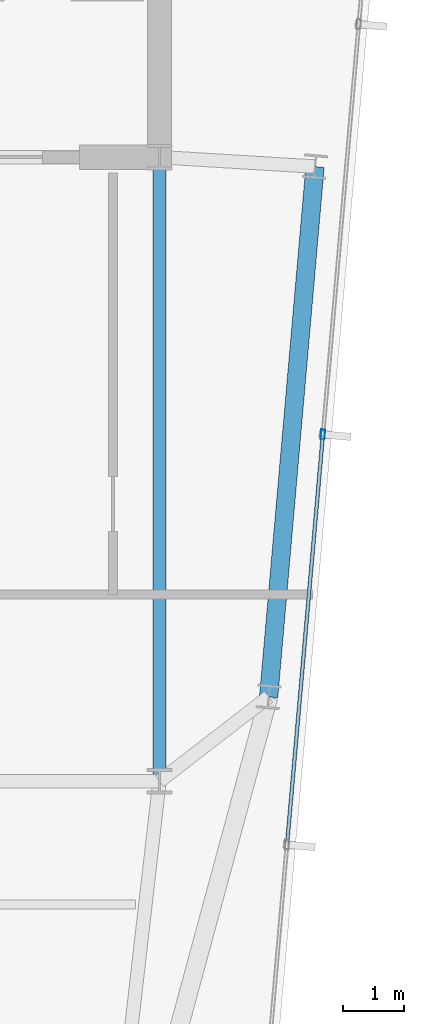
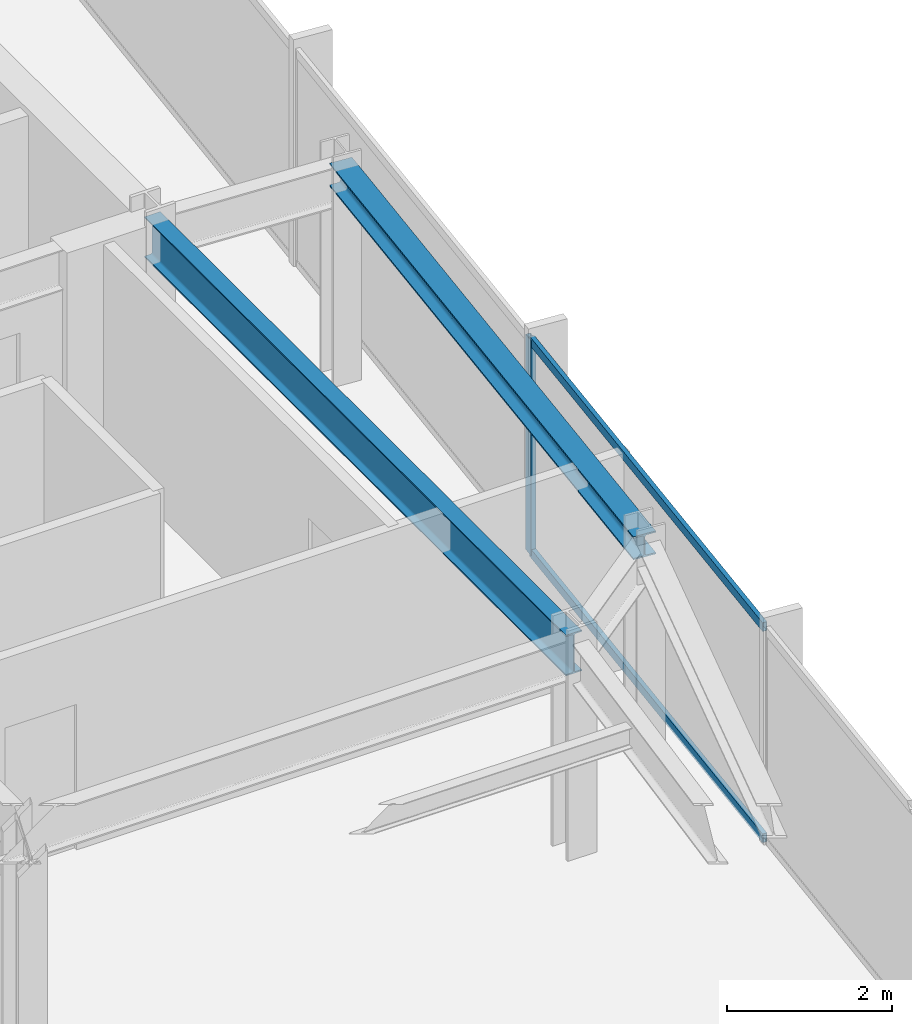
# One storey, part 17 of 32: 3 members, 2 beams, 1 element without a shape of its own.
"""IFC4 building model written with IfcOpenShell, lengths in metres."""

from ifc_helpers import new_model, si_unit, direction, frame, origin, origin_2d, place, context, subcontext, project, spatial, hollow_rectangle, i_section, extrude, material, material_profile, profile_set, type_object, element, aggregate, save


model = new_model("IFC4")

# Units and contexts
model_context = context("Model", 3, precision=1e-05, world=origin(), true_north=direction((0.0, 1.0)))
body_context = subcontext(model_context, "Body", "Model", "MODEL_VIEW")
ifc_project = project(units=[si_unit("LENGTHUNIT", "METRE"), si_unit("AREAUNIT", "SQUARE_METRE"), si_unit("VOLUMEUNIT", "CUBIC_METRE"), si_unit("PLANEANGLEUNIT", "RADIAN"), si_unit("MASSUNIT", "GRAM", prefix="KILO")], contexts=[model_context])

# Site, building, storey
site_placement = place(None, origin())
site = spatial("IfcSite", under=ifc_project, at=site_placement, CompositionType="ELEMENT")
building_placement = place(site_placement, origin())
building = spatial("IfcBuilding", under=site, at=building_placement, Name="Yelkora Congress Tower", CompositionType="ELEMENT")
storey_placement = place(building_placement, frame((0.0, 0.0, 269.300048828125)))
storey = spatial("IfcBuildingStorey", under=building, at=storey_placement, Name="L75", CompositionType="ELEMENT", Elevation=269.300048828125)

# Beams
ifc_material_1 = material(Name="Steel S355J2", Category="steel")
ifc_material_profile_1 = material_profile(ifc_material_1, i_section(OverallWidth=0.219970703125, OverallDepth=0.60009765625, WebThickness=0.011962890625, FlangeThickness=0.01904296875, FilletRadius=0.02392578125, at=origin_2d()), Name="IPE 600")
ifc_profile_set_1 = profile_set([ifc_material_profile_1], Name="Steel S355J2")
beam_type_1 = type_object("IfcBeamType", Name="BM-GIRD-IPE600", PredefinedType="BEAM", material=ifc_profile_set_1)
beam_1_placement = place(storey_placement, frame((53.760009765625, 25.199951171875, 2.8798828125), z_axis=(0.0, 1.0, 0.0), x_axis=(-1.0, 0.0, 0.0)))
element("IfcBeam", 1, at=beam_1_placement, inside=storey, type_object=beam_type_1, Name="L75 Core Tie Girder MC-D5", PredefinedType="BEAM", context=body_context, shape_type="SweptSolid", body=[
    extrude(i_section(OverallWidth=0.219970703125, OverallDepth=0.60009765625, WebThickness=0.011962890625, FlangeThickness=0.01904296875, FilletRadius=0.02392578125, at=origin_2d()), origin(), (0.0, 0.0, 1.0), 10.199951171875),
])
ifc_material_profile_2 = material_profile(ifc_material_1, i_section(OverallWidth=0.300048828125, OverallDepth=0.340087890625, WebThickness=0.011962890625, FlangeThickness=0.021484375, FilletRadius=0.027099609375, at=origin_2d()), Name="HEB 340")
ifc_profile_set_2 = profile_set([ifc_material_profile_2], Name="Steel S355J2")
beam_type_2 = type_object("IfcBeamType", Name="BM-SPAN-HEB340", PredefinedType="SPANDREL", material=ifc_profile_set_2)
beam_2_placement = place(storey_placement, frame((55.543701171875, 26.57861328125, 3.010009765625), z_axis=(0.08715998813, 0.99619432666, 0.0), x_axis=(-0.99619432666, 0.08715998813, 0.0)))
element("IfcBeam", 2, at=beam_2_placement, inside=storey, type_object=beam_type_2, Name="L75 Perimeter Beam 8", PredefinedType="SPANDREL", context=body_context, shape_type="SweptSolid", body=[
    extrude(i_section(OverallWidth=0.300048828125, OverallDepth=0.340087890625, WebThickness=0.011962890625, FlangeThickness=0.021484375, FilletRadius=0.027099609375, at=origin_2d()), origin(), (0.0, 0.0, 1.0), 8.7001953125),
])

# Curtain wall, members
ifc_material_2 = material(Name="Anodised aluminium and insulated glass", Category="aluminium")
curtain_wall_type = type_object("IfcCurtainWallType", Name="CW-SYS-B5", PredefinedType="NOTDEFINED", material=ifc_material_2)
curtain_wall_placement = place(storey_placement, origin())
curtain_wall = element("IfcCurtainWall", 3, at=curtain_wall_placement, inside=storey, type_object=curtain_wall_type, Name="L75 Unitised Curtain Wall 15", PredefinedType="NOTDEFINED")
ifc_material_3 = material(Name="Anodised aluminium 6063-T6", Category="aluminium")
ifc_material_profile_3 = material_profile(ifc_material_3, hollow_rectangle(XDim=0.06494140625, YDim=0.159912109375, WallThickness=0.00390625, at=origin_2d()), Name="ALU 65x160x4")
ifc_profile_set_3 = profile_set([ifc_material_profile_3], Name="Anodised aluminium 6063-T6")
member_type_1 = type_object("IfcMemberType", Name="MEM-ML-B5", PredefinedType="MULLION", material=ifc_profile_set_3)
member_1_placement = place(storey_placement, frame((56.430908203125, 30.867431640625, 0.0), z_axis=(0.0, 0.0, 1.0), x_axis=(0.996194463398, -0.087158425264, 0.0)))
member_1 = element("IfcMember", 4, at=member_1_placement, type_object=member_type_1, Name="CW-B5 mullion 3", PredefinedType="MULLION", context=body_context, shape_type="SweptSolid", body=[
    extrude(hollow_rectangle(XDim=0.06494140625, YDim=0.159912109375, WallThickness=0.00390625, at=origin_2d()), origin(), (0.0, 0.0, 1.0), 3.179931640625),
])
ifc_material_profile_4 = material_profile(ifc_material_3, hollow_rectangle(XDim=0.06005859375, YDim=0.1298828125, WallThickness=0.00390625, at=origin_2d()), Name="ALU 60x130x4")
ifc_profile_set_4 = profile_set([ifc_material_profile_4], Name="Anodised aluminium 6063-T6")
member_type_2 = type_object("IfcMemberType", Name="MEM-TR-B5", PredefinedType="USERDEFINED", material=ifc_profile_set_4)
member_2_placement = place(storey_placement, frame((56.42822265625, 30.835205078125, 0.030029296875), z_axis=(-0.087179673403, -0.996192604141, 0.0), x_axis=(0.996192604141, -0.087179673403, 0.0)))
member_2 = element("IfcMember", 5, at=member_2_placement, type_object=member_type_2, Name="CW-B5 transom 3.1", ObjectType="TRANSOM", PredefinedType="USERDEFINED", context=body_context, shape_type="SweptSolid", body=[
    extrude(hollow_rectangle(XDim=0.06005859375, YDim=0.1298828125, WallThickness=0.00390625, at=origin_2d()), origin(), (0.0, 0.0, 1.0), 6.6650390625),
])
member_3_placement = place(storey_placement, frame((56.42822265625, 30.835205078125, 3.14990234375), z_axis=(-0.087179673403, -0.996192604141, 0.0), x_axis=(0.996192604141, -0.087179673403, 0.0)))
member_3 = element("IfcMember", 6, at=member_3_placement, type_object=member_type_2, Name="CW-B5 transom 3.2", ObjectType="TRANSOM", PredefinedType="USERDEFINED", context=body_context, shape_type="SweptSolid", body=[
    extrude(hollow_rectangle(XDim=0.06005859375, YDim=0.1298828125, WallThickness=0.00390625, at=origin_2d()), origin(), (0.0, 0.0, 1.0), 6.6650390625),
])
aggregate(curtain_wall, [member_1, member_2, member_3])

save(model, "model.ifc")
